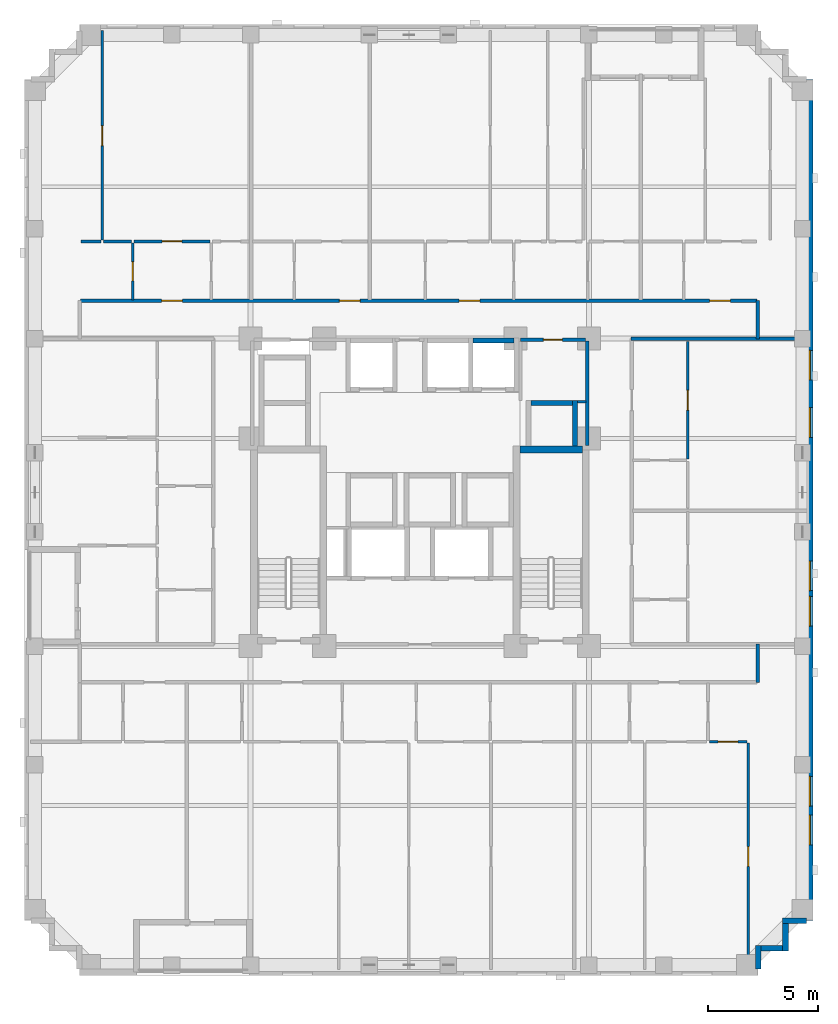
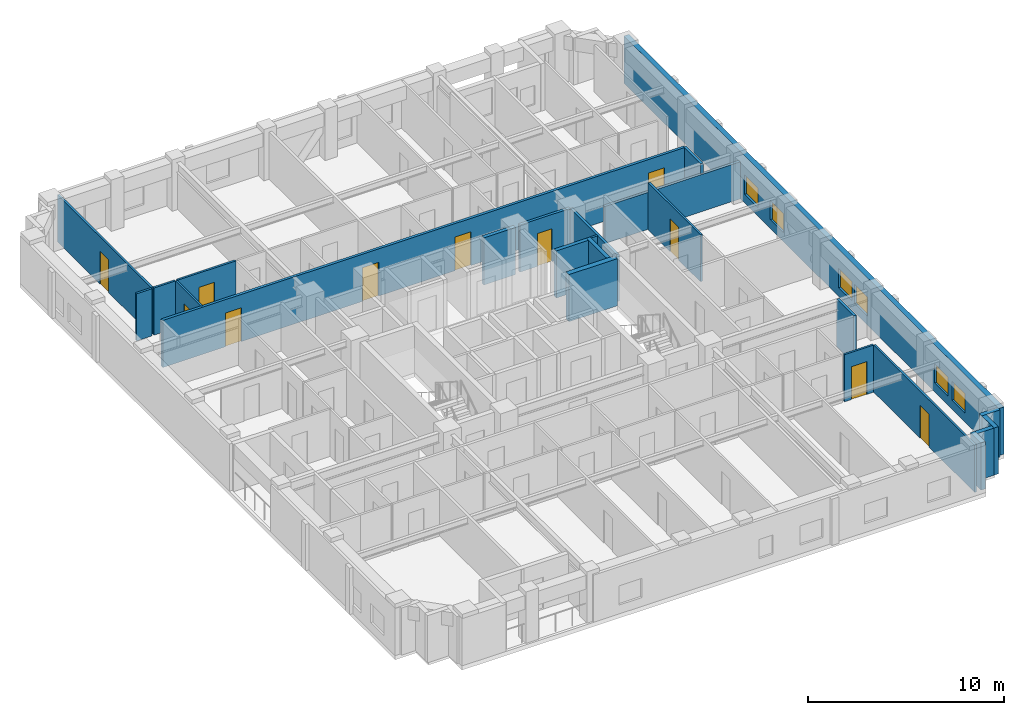
# One storey, part 6 of 12: 24 walls, 11 doors, 6 windows, 17 openings.
"""IFC4 building model written with IfcOpenShell, lengths in metres."""

from ifc_helpers import new_model, si_unit, derived_unit, direction, frame, frame_2d, origin, place, context, subcontext, project, spatial, rectangle, extrude, material, layer, layer_set, type_object, element, fill, save


model = new_model("IFC4")

# Units and contexts
model_context = context("Model", 3, precision=1e-05, world=origin(), true_north=direction((0.0, 1.0)))
body_context = subcontext(model_context, "Body", "Model", "MODEL_VIEW")
ifc_project = project(units=[si_unit("LENGTHUNIT", "METRE"), si_unit("AREAUNIT", "SQUARE_METRE"), si_unit("VOLUMEUNIT", "CUBIC_METRE"), si_unit("PLANEANGLEUNIT", "RADIAN"), si_unit("MASSUNIT", "GRAM", prefix="KILO"), derived_unit("THERMALTRANSMITTANCEUNIT", [(si_unit("MASSUNIT", "GRAM", prefix="KILO"), 1), (si_unit("TIMEUNIT", "SECOND"), -3), (si_unit("THERMODYNAMICTEMPERATUREUNIT", "KELVIN"), -1)])], contexts=[model_context])

# Site, building, storey
site_placement = place(None, origin())
site = spatial("IfcSite", under=ifc_project, at=site_placement, CompositionType="ELEMENT")
building_placement = place(site_placement, origin())
building = spatial("IfcBuilding", under=site, at=building_placement, Name="Korrvale Station Residences", CompositionType="ELEMENT")
storey_placement = place(building_placement, frame((0.0, 0.0, 103.89990234375)))
storey = spatial("IfcBuildingStorey", under=building, at=storey_placement, Name="L29", CompositionType="ELEMENT", Elevation=103.89990234375)

# Walls
ifc_material_1 = material(Name="Concrete C60/75", Category="concrete")
ifc_layer_1 = layer(ifc_material_1, 0.300048828125, Name="Concrete C60/75")
ifc_layer_set_1 = layer_set([ifc_layer_1], Name="Concrete C60/75")
wall_type_1 = type_object("IfcWallType", Name="WAL-CORE-300-C60", PredefinedType="SHEAR", material=ifc_layer_set_1)
wall_1_placement = place(storey_placement, frame((30.050048828125, 23.949951171875, 0.0), z_axis=(0.0, 0.0, 1.0), x_axis=(1.0, 0.0, 0.0)))
element("IfcWall", 1, at=wall_1_placement, inside=storey, type_object=wall_type_1, Name="L29 ST-2 Core Shear Wall North", PredefinedType="SHEAR", context=body_context, shape_type="SweptSolid", body=[
    extrude(rectangle(XDim=2.849853515625, YDim=0.300048828125, at=frame_2d((1.4248046875, 0.0))), origin(), (0.0, 0.0, 1.0), 2.940185546875),
])
ifc_material_2 = material(Name="Precast concrete C45/55", Category="concrete")
ifc_layer_2 = layer(ifc_material_2, 0.260009765625, Name="Precast concrete C45/55")
ifc_layer_set_2 = layer_set([ifc_layer_2], Name="Precast concrete C45/55")
wall_type_2 = type_object("IfcWallType", Name="WAL-EXT-LOG260", PredefinedType="SOLIDWALL", material=ifc_layer_set_2)
wall_2_placement = place(storey_placement, frame((43.097900390625, 2.5, 0.0), z_axis=(0.0, 0.0, 1.0), x_axis=(-1.0, 0.0, 0.0)))
element("IfcWall", 2, at=wall_2_placement, inside=storey, type_object=wall_type_2, Name="L29 Serrated Corner Precast Step SE-1", PredefinedType="SOLIDWALL", context=body_context, shape_type="SweptSolid", body=[
    extrude(rectangle(XDim=1.077880859375, YDim=0.260009765625, at=frame_2d((0.5390625, 0.0))), origin(), (0.0, 0.0, 1.0), 2.940185546875),
])
wall_3_placement = place(storey_placement, frame((42.14990234375, 2.367919921875, 0.0), z_axis=(0.0, 0.0, 1.0), x_axis=(0.0, -1.0, 0.0)))
element("IfcWall", 3, at=wall_3_placement, inside=storey, type_object=wall_type_2, Name="L29 Serrated Corner Precast Step SE-2", PredefinedType="SOLIDWALL", context=body_context, shape_type="SweptSolid", body=[
    extrude(rectangle(XDim=1.247802734375, YDim=0.260009765625, at=frame_2d((0.6240234375, 0.0))), origin(), (0.0, 0.0, 1.0), 2.940185546875),
])
wall_4_placement = place(storey_placement, frame((42.01806640625, 1.25, 0.0), z_axis=(0.0, 0.0, 1.0), x_axis=(-1.0, 0.0, 0.0)))
element("IfcWall", 4, at=wall_4_placement, inside=storey, type_object=wall_type_2, Name="L29 Serrated Corner Precast Step SE-3", PredefinedType="SOLIDWALL", context=body_context, shape_type="SweptSolid", body=[
    extrude(rectangle(XDim=0.986083984375, YDim=0.260009765625, at=frame_2d((0.4931640625, 0.0))), origin(), (0.0, 0.0, 1.0), 2.940185546875),
])
wall_5_placement = place(storey_placement, frame((40.89990234375, 1.3798828125, 0.0), z_axis=(0.0, 0.0, 1.0), x_axis=(0.0, -1.0, 0.0)))
element("IfcWall", 5, at=wall_5_placement, inside=storey, type_object=wall_type_2, Name="L29 Serrated Corner Precast Step SE-4", PredefinedType="SOLIDWALL", context=body_context, shape_type="SweptSolid", body=[
    extrude(rectangle(XDim=1.077880859375, YDim=0.260009765625, at=frame_2d((0.5390625, 0.0))), origin(), (0.0, 0.0, 1.0), 2.940185546875),
])

# Wall, openings, windows
ifc_layer_3 = layer(ifc_material_2, 0.300048828125, Name="Precast concrete C45/55")
ifc_layer_set_3 = layer_set([ifc_layer_3], Name="Precast concrete C45/55")
wall_type_3 = type_object("IfcWallType", Name="WAL-EXT-PC300", PredefinedType="SOLIDWALL", material=ifc_layer_set_3)
wall_6_placement = place(storey_placement, frame((43.25, 40.800048828125, 0.0), z_axis=(0.0, 0.0, 1.0), x_axis=(0.0, -1.0, 0.0)))
wall_6 = element("IfcWall", 6, at=wall_6_placement, inside=storey, type_object=wall_type_3, Name="L29 East Exterior Precast Wall 1", PredefinedType="SOLIDWALL", context=body_context, shape_type="SweptSolid", body=[
    extrude(rectangle(XDim=38.300048828125, YDim=0.300048828125, at=frame_2d((19.14990234375, 0.0))), origin(), (0.0, 0.0, 1.0), 2.940185546875),
])
opening_1_placement = place(wall_6_placement, frame((33.4951171875, 0.0, 0.550048828125)))
opening_1 = element("IfcOpeningElement", 7, at=opening_1_placement, cuts=wall_6, Name="Opening W-10", PredefinedType="OPENING", context=body_context, shape_type="SweptSolid", body=[
    extrude(rectangle(XDim=1.35009765625, YDim=1.199951171875, at=frame_2d((0.675048828125, 0.60009765625))), frame((0.0, 0.16015625, 0.0), z_axis=(0.0, -1.0, 0.0), x_axis=(1.0, 0.0, 0.0)), (0.0, 0.0, 1.0), 0.320068359375),
])
opening_2_placement = place(wall_6_placement, frame((31.735107421875, 0.0, 0.550048828125)))
opening_2 = element("IfcOpeningElement", 8, at=opening_2_placement, cuts=wall_6, Name="Opening W-10", PredefinedType="OPENING", context=body_context, shape_type="SweptSolid", body=[
    extrude(rectangle(XDim=1.35009765625, YDim=1.199951171875, at=frame_2d((0.675048828125, 0.60009765625))), frame((0.0, 0.16015625, 0.0), z_axis=(0.0, -1.0, 0.0), x_axis=(1.0, 0.0, 0.0)), (0.0, 0.0, 1.0), 0.320068359375),
])
opening_3_placement = place(wall_6_placement, frame((21.929931640625, 0.0, 0.550048828125)))
opening_3 = element("IfcOpeningElement", 9, at=opening_3_placement, cuts=wall_6, Name="Opening W-10", PredefinedType="OPENING", context=body_context, shape_type="SweptSolid", body=[
    extrude(rectangle(XDim=1.35009765625, YDim=1.199951171875, at=frame_2d((0.675048828125, 0.60009765625))), frame((0.0, 0.16015625, 0.0), z_axis=(0.0, -1.0, 0.0), x_axis=(1.0, 0.0, 0.0)), (0.0, 0.0, 1.0), 0.320068359375),
])
opening_4_placement = place(wall_6_placement, frame((23.5400390625, 0.0, 0.550048828125)))
opening_4 = element("IfcOpeningElement", 10, at=opening_4_placement, cuts=wall_6, Name="Opening W-10", PredefinedType="OPENING", context=body_context, shape_type="SweptSolid", body=[
    extrude(rectangle(XDim=1.35009765625, YDim=1.199951171875, at=frame_2d((0.675048828125, 0.60009765625))), frame((0.0, 0.16015625, 0.0), z_axis=(0.0, -1.0, 0.0), x_axis=(1.0, 0.0, 0.0)), (0.0, 0.0, 1.0), 0.320068359375),
])
opening_5_placement = place(wall_6_placement, frame((14.949951171875, 0.0, 0.550048828125)))
opening_5 = element("IfcOpeningElement", 11, at=opening_5_placement, cuts=wall_6, Name="Opening W-10", PredefinedType="OPENING", context=body_context, shape_type="SweptSolid", body=[
    extrude(rectangle(XDim=1.35009765625, YDim=1.199951171875, at=frame_2d((0.675048828125, 0.60009765625))), frame((0.0, 0.16015625, 0.0), z_axis=(0.0, -1.0, 0.0), x_axis=(1.0, 0.0, 0.0)), (0.0, 0.0, 1.0), 0.320068359375),
])
opening_6_placement = place(wall_6_placement, frame((12.3349609375, 0.0, 0.550048828125)))
opening_6 = element("IfcOpeningElement", 12, at=opening_6_placement, cuts=wall_6, Name="Opening W-10", PredefinedType="OPENING", context=body_context, shape_type="SweptSolid", body=[
    extrude(rectangle(XDim=1.35009765625, YDim=1.199951171875, at=frame_2d((0.675048828125, 0.60009765625))), frame((0.0, 0.16015625, 0.0), z_axis=(0.0, -1.0, 0.0), x_axis=(1.0, 0.0, 0.0)), (0.0, 0.0, 1.0), 0.320068359375),
])
ifc_material_3 = material(Name="Thermally broken aluminium frame with triple low-e glazing", Category="aluminium")
window_type = type_object("IfcWindowType", Name="WIN-W10", PartitioningType="SINGLE_PANEL", PredefinedType="WINDOW", material=ifc_material_3)
window_1_placement = place(opening_1_placement, origin())
window_1 = element("IfcWindow", 13, at=window_1_placement, inside=storey, type_object=window_type, Name="L29 Punched Window 08", OverallHeight=1.199951171875, OverallWidth=1.35009765625, PartitioningType="SINGLE_PANEL", PredefinedType="WINDOW", context=body_context, shape_type="SweptSolid", body=[
    extrude(rectangle(XDim=1.35009765625, YDim=1.199951171875, at=frame_2d((0.675048828125, 0.60009765625))), frame((0.0, 0.030029296875, 0.0), z_axis=(0.0, -1.0, 0.0), x_axis=(1.0, 0.0, 0.0)), (0.0, 0.0, 1.0), 0.06005859375),
])
fill(opening_1, window_1)
window_2_placement = place(opening_2_placement, origin())
window_2 = element("IfcWindow", 14, at=window_2_placement, inside=storey, type_object=window_type, Name="L29 Punched Window 09", OverallHeight=1.199951171875, OverallWidth=1.35009765625, PartitioningType="SINGLE_PANEL", PredefinedType="WINDOW", context=body_context, shape_type="SweptSolid", body=[
    extrude(rectangle(XDim=1.35009765625, YDim=1.199951171875, at=frame_2d((0.675048828125, 0.60009765625))), frame((0.0, 0.030029296875, 0.0), z_axis=(0.0, -1.0, 0.0), x_axis=(1.0, 0.0, 0.0)), (0.0, 0.0, 1.0), 0.06005859375),
])
fill(opening_2, window_2)
window_3_placement = place(opening_3_placement, origin())
window_3 = element("IfcWindow", 15, at=window_3_placement, inside=storey, type_object=window_type, Name="L29 Punched Window 21", OverallHeight=1.199951171875, OverallWidth=1.35009765625, PartitioningType="SINGLE_PANEL", PredefinedType="WINDOW", context=body_context, shape_type="SweptSolid", body=[
    extrude(rectangle(XDim=1.35009765625, YDim=1.199951171875, at=frame_2d((0.675048828125, 0.60009765625))), frame((0.0, 0.030029296875, 0.0), z_axis=(0.0, -1.0, 0.0), x_axis=(1.0, 0.0, 0.0)), (0.0, 0.0, 1.0), 0.06005859375),
])
fill(opening_3, window_3)
window_4_placement = place(opening_4_placement, origin())
window_4 = element("IfcWindow", 16, at=window_4_placement, inside=storey, type_object=window_type, Name="L29 Punched Window 22", OverallHeight=1.199951171875, OverallWidth=1.35009765625, PartitioningType="SINGLE_PANEL", PredefinedType="WINDOW", context=body_context, shape_type="SweptSolid", body=[
    extrude(rectangle(XDim=1.35009765625, YDim=1.199951171875, at=frame_2d((0.675048828125, 0.60009765625))), frame((0.0, 0.030029296875, 0.0), z_axis=(0.0, -1.0, 0.0), x_axis=(1.0, 0.0, 0.0)), (0.0, 0.0, 1.0), 0.06005859375),
])
fill(opening_4, window_4)
window_5_placement = place(opening_5_placement, origin())
window_5 = element("IfcWindow", 17, at=window_5_placement, inside=storey, type_object=window_type, Name="L29 Punched Window 23", OverallHeight=1.199951171875, OverallWidth=1.35009765625, PartitioningType="SINGLE_PANEL", PredefinedType="WINDOW", context=body_context, shape_type="SweptSolid", body=[
    extrude(rectangle(XDim=1.35009765625, YDim=1.199951171875, at=frame_2d((0.675048828125, 0.60009765625))), frame((0.0, 0.030029296875, 0.0), z_axis=(0.0, -1.0, 0.0), x_axis=(1.0, 0.0, 0.0)), (0.0, 0.0, 1.0), 0.06005859375),
])
fill(opening_5, window_5)
window_6_placement = place(opening_6_placement, origin())
window_6 = element("IfcWindow", 18, at=window_6_placement, inside=storey, type_object=window_type, Name="L29 Punched Window 24", OverallHeight=1.199951171875, OverallWidth=1.35009765625, PartitioningType="SINGLE_PANEL", PredefinedType="WINDOW", context=body_context, shape_type="SweptSolid", body=[
    extrude(rectangle(XDim=1.35009765625, YDim=1.199951171875, at=frame_2d((0.675048828125, 0.60009765625))), frame((0.0, 0.030029296875, 0.0), z_axis=(0.0, -1.0, 0.0), x_axis=(1.0, 0.0, 0.0)), (0.0, 0.0, 1.0), 0.06005859375),
])
fill(opening_6, window_6)

# Wall
ifc_material_4 = material(Name="Acoustic steel-stud gypsum board partition", Category="steel")
ifc_layer_4 = layer(ifc_material_4, 0.1201171875, Name="Acoustic steel-stud gypsum board partition")
ifc_layer_set_4 = layer_set([ifc_layer_4], Name="Acoustic steel-stud gypsum board partition")
wall_type_4 = type_object("IfcWallType", Name="WAL-PART-125", PredefinedType="PARTITIONING", material=ifc_layer_set_4)
wall_7_placement = place(storey_placement, frame((32.679931640625, 26.1201171875, 0.0), z_axis=(0.0, 0.0, 1.0), x_axis=(1.0, 0.0, 0.0)))
element("IfcWall", 19, at=wall_7_placement, inside=storey, type_object=wall_type_4, Name="L29 Core Partition CW-CS-S", PredefinedType="PARTITIONING", context=body_context, shape_type="SweptSolid", body=[
    extrude(rectangle(XDim=0.380126953125, YDim=0.1201171875, at=frame_2d((0.18994140625, 0.0))), origin(), (0.0, 0.0, 1.0), 2.940185546875),
])

# Wall, opening, door
wall_8_placement = place(storey_placement, frame((38.676025390625, 10.64990234375, 0.0), z_axis=(0.0, 0.0, 1.0), x_axis=(1.0, 0.0, 0.0)))
wall_8 = element("IfcWall", 20, at=wall_8_placement, inside=storey, type_object=wall_type_4, Name="L29 Suite Partition U03-H24", PredefinedType="PARTITIONING", context=body_context, shape_type="SweptSolid", body=[
    extrude(rectangle(XDim=1.7138671875, YDim=0.1201171875, at=frame_2d((0.85693359375, 0.0))), origin(), (0.0, 0.0, 1.0), 2.940185546875),
])
opening_7_placement = place(wall_8_placement, frame((0.406982421875, 0.0, 0.0)))
opening_7 = element("IfcOpeningElement", 21, at=opening_7_placement, cuts=wall_8, Name="Opening DI-900", PredefinedType="OPENING", context=body_context, shape_type="SweptSolid", body=[
    extrude(rectangle(XDim=0.89990234375, YDim=2.050048828125, at=frame_2d((0.449951171875, 1.02490234375))), frame((0.0, 0.070068359375, 0.0), z_axis=(0.0, -1.0, 0.0), x_axis=(1.0, 0.0, 0.0)), (0.0, 0.0, 1.0), 0.14013671875),
])
ifc_material_5 = material(Name="Painted solid-core timber interior room door", Category="wood")
door_type_1 = type_object("IfcDoorType", Name="DR-INT-900", OperationType="NOTDEFINED", PredefinedType="DOOR", material=ifc_material_5)
door_1_placement = place(opening_7_placement, origin())
door_1 = element("IfcDoor", 22, at=door_1_placement, inside=storey, type_object=door_type_1, Name="L29 Studio Apartment L29-U03 Utility and Laundry Room Door", OperationType="SINGLE_SWING_LEFT", OverallHeight=2.050048828125, OverallWidth=0.89990234375, PredefinedType="DOOR", context=body_context, shape_type="SweptSolid", body=[
    extrude(rectangle(XDim=0.89990234375, YDim=2.050048828125, at=frame_2d((0.449951171875, 1.02490234375))), frame((0.0, 0.02490234375, 0.0), z_axis=(0.0, -1.0, 0.0), x_axis=(1.0, 0.0, 0.0)), (0.0, 0.0, 1.0), 0.050048828125),
])
fill(opening_7, door_1)

wall_9_placement = place(storey_placement, frame((40.449951171875, 0.280029296875, 0.0), z_axis=(0.0, 0.0, 1.0), x_axis=(0.0, 1.0, 0.0)))
wall_9 = element("IfcWall", 23, at=wall_9_placement, inside=storey, type_object=wall_type_4, Name="L29 Suite Partition U03-V45", PredefinedType="PARTITIONING", context=body_context, shape_type="SweptSolid", body=[
    extrude(rectangle(XDim=10.31005859375, YDim=0.1201171875, at=frame_2d((5.155029296875, 0.0))), origin(), (0.0, 0.0, 1.0), 2.940185546875),
])
opening_8_placement = place(wall_9_placement, frame((4.68994140625, 0.0, 0.0)))
opening_8 = element("IfcOpeningElement", 24, at=opening_8_placement, cuts=wall_9, Name="Opening DI-900", PredefinedType="OPENING", context=body_context, shape_type="SweptSolid", body=[
    extrude(rectangle(XDim=0.89990234375, YDim=2.050048828125, at=frame_2d((0.449951171875, 1.02490234375))), frame((0.0, 0.070068359375, 0.0), z_axis=(0.0, -1.0, 0.0), x_axis=(1.0, 0.0, 0.0)), (0.0, 0.0, 1.0), 0.14013671875),
])
door_2_placement = place(opening_8_placement, origin())
door_2 = element("IfcDoor", 25, at=door_2_placement, inside=storey, type_object=door_type_1, Name="L29 Studio Apartment L29-U03 Studio Living Room Door", OperationType="SINGLE_SWING_LEFT", OverallHeight=2.050048828125, OverallWidth=0.89990234375, PredefinedType="DOOR", context=body_context, shape_type="SweptSolid", body=[
    extrude(rectangle(XDim=0.89990234375, YDim=2.050048828125, at=frame_2d((0.449951171875, 1.02490234375))), frame((0.0, 0.02490234375, 0.0), z_axis=(0.0, -1.0, 0.0), x_axis=(1.0, 0.0, 0.0)), (0.0, 0.0, 1.0), 0.050048828125),
])
fill(opening_8, door_2)

wall_10_placement = place(storey_placement, frame((12.431884765625, 30.760009765625, 0.0), z_axis=(0.0, 0.0, 1.0), x_axis=(0.0, 1.0, 0.0)))
wall_10 = element("IfcWall", 26, at=wall_10_placement, inside=storey, type_object=wall_type_4, Name="L29 Suite Partition U04-V01", PredefinedType="PARTITIONING", context=body_context, shape_type="SweptSolid", body=[
    extrude(rectangle(XDim=2.60009765625, YDim=0.1201171875, at=frame_2d((1.300048828125, 0.0))), origin(), (0.0, 0.0, 1.0), 2.940185546875),
])
opening_9_placement = place(wall_10_placement, frame((0.8701171875, 0.0, 0.0)))
opening_9 = element("IfcOpeningElement", 27, at=opening_9_placement, cuts=wall_10, Name="Opening DB-860", PredefinedType="OPENING", context=body_context, shape_type="SweptSolid", body=[
    extrude(rectangle(XDim=0.860107421875, YDim=2.050048828125, at=frame_2d((0.43017578125, 1.02490234375))), frame((0.0, 0.070068359375, 0.0), z_axis=(0.0, -1.0, 0.0), x_axis=(1.0, 0.0, 0.0)), (0.0, 0.0, 1.0), 0.14013671875),
])
ifc_material_6 = material(Name="Moisture-resistant solid-core bathroom door", Category="timber")
door_type_2 = type_object("IfcDoorType", Name="DR-BATH-860", OperationType="NOTDEFINED", PredefinedType="DOOR", material=ifc_material_6)
door_3_placement = place(opening_9_placement, origin())
door_3 = element("IfcDoor", 28, at=door_3_placement, inside=storey, type_object=door_type_2, Name="L29 Studio Apartment L29-U04 Bathroom Door", OperationType="SINGLE_SWING_RIGHT", OverallHeight=2.050048828125, OverallWidth=0.860107421875, PredefinedType="DOOR", context=body_context, shape_type="SweptSolid", body=[
    extrude(rectangle(XDim=0.860107421875, YDim=2.050048828125, at=frame_2d((0.43017578125, 1.02490234375))), frame((0.0, 0.02490234375, 0.0), z_axis=(0.0, -1.0, 0.0), x_axis=(1.0, 0.0, 0.0)), (0.0, 0.0, 1.0), 0.050048828125),
])
fill(opening_9, door_3)

# Walls
wall_11_placement = place(storey_placement, frame((10.080078125, 33.419921875, 0.0), z_axis=(0.0, 0.0, 1.0), x_axis=(1.0, 0.0, 0.0)))
element("IfcWall", 29, at=wall_11_placement, inside=storey, type_object=wall_type_4, Name="L29 Suite Partition U04-H03", PredefinedType="PARTITIONING", context=body_context, shape_type="SweptSolid", body=[
    extrude(rectangle(XDim=0.909912109375, YDim=0.1201171875, at=frame_2d((0.455078125, 0.0))), origin(), (0.0, 0.0, 1.0), 2.940185546875),
])
wall_12_placement = place(storey_placement, frame((11.110107421875, 33.419921875, 0.0), z_axis=(0.0, 0.0, 1.0), x_axis=(1.0, 0.0, 0.0)))
element("IfcWall", 30, at=wall_12_placement, inside=storey, type_object=wall_type_4, Name="L29 Suite Partition U04-H04", PredefinedType="PARTITIONING", context=body_context, shape_type="SweptSolid", body=[
    extrude(rectangle(XDim=1.261962890625, YDim=0.1201171875, at=frame_2d((0.630859375, 0.0))), origin(), (0.0, 0.0, 1.0), 2.940185546875),
])

# Wall, opening, door
wall_13_placement = place(storey_placement, frame((12.491943359375, 33.419921875, 0.0), z_axis=(0.0, 0.0, 1.0), x_axis=(1.0, 0.0, 0.0)))
wall_13 = element("IfcWall", 31, at=wall_13_placement, inside=storey, type_object=wall_type_4, Name="L29 Suite Partition U04-H14", PredefinedType="PARTITIONING", context=body_context, shape_type="SweptSolid", body=[
    extrude(rectangle(XDim=3.449951171875, YDim=0.1201171875, at=frame_2d((1.72509765625, 0.0))), origin(), (0.0, 0.0, 1.0), 2.940185546875),
])
opening_10_placement = place(wall_13_placement, frame((1.27490234375, 0.0, 0.0)))
opening_10 = element("IfcOpeningElement", 32, at=opening_10_placement, cuts=wall_13, Name="Opening DI-900", PredefinedType="OPENING", context=body_context, shape_type="SweptSolid", body=[
    extrude(rectangle(XDim=0.89990234375, YDim=2.050048828125, at=frame_2d((0.449951171875, 1.02490234375))), frame((0.0, 0.070068359375, 0.0), z_axis=(0.0, -1.0, 0.0), x_axis=(1.0, 0.0, 0.0)), (0.0, 0.0, 1.0), 0.14013671875),
])
door_4_placement = place(opening_10_placement, origin())
door_4 = element("IfcDoor", 33, at=door_4_placement, inside=storey, type_object=door_type_1, Name="L29 Studio Apartment L29-U04 Kitchen Door", OperationType="SINGLE_SWING_RIGHT", OverallHeight=2.050048828125, OverallWidth=0.89990234375, PredefinedType="DOOR", context=body_context, shape_type="SweptSolid", body=[
    extrude(rectangle(XDim=0.89990234375, YDim=2.050048828125, at=frame_2d((0.449951171875, 1.02490234375))), frame((0.0, 0.02490234375, 0.0), z_axis=(0.0, -1.0, 0.0), x_axis=(1.0, 0.0, 0.0)), (0.0, 0.0, 1.0), 0.050048828125),
])
fill(opening_10, door_4)

wall_14_placement = place(storey_placement, frame((11.050048828125, 33.47998046875, 0.0), z_axis=(0.0, 0.0, 1.0), x_axis=(0.0, 1.0, 0.0)))
wall_14 = element("IfcWall", 34, at=wall_14_placement, inside=storey, type_object=wall_type_4, Name="L29 Suite Partition U04-V34", PredefinedType="PARTITIONING", context=body_context, shape_type="SweptSolid", body=[
    extrude(rectangle(XDim=9.5400390625, YDim=0.1201171875, at=frame_2d((4.77001953125, 0.0))), origin(), (0.0, 0.0, 1.0), 2.940185546875),
])
opening_11_placement = place(wall_14_placement, frame((4.304931640625, 0.0, 0.0)))
opening_11 = element("IfcOpeningElement", 35, at=opening_11_placement, cuts=wall_14, Name="Opening DI-900", PredefinedType="OPENING", context=body_context, shape_type="SweptSolid", body=[
    extrude(rectangle(XDim=0.89990234375, YDim=2.050048828125, at=frame_2d((0.449951171875, 1.02490234375))), frame((0.0, 0.070068359375, 0.0), z_axis=(0.0, -1.0, 0.0), x_axis=(1.0, 0.0, 0.0)), (0.0, 0.0, 1.0), 0.14013671875),
])
door_5_placement = place(opening_11_placement, origin())
door_5 = element("IfcDoor", 36, at=door_5_placement, inside=storey, type_object=door_type_1, Name="L29 Studio Apartment L29-U04 Walk-In Wardrobe Door", OperationType="SINGLE_SWING_RIGHT", OverallHeight=2.050048828125, OverallWidth=0.89990234375, PredefinedType="DOOR", context=body_context, shape_type="SweptSolid", body=[
    extrude(rectangle(XDim=0.89990234375, YDim=2.050048828125, at=frame_2d((0.449951171875, 1.02490234375))), frame((0.0, 0.02490234375, 0.0), z_axis=(0.0, -1.0, 0.0), x_axis=(1.0, 0.0, 0.0)), (0.0, 0.0, 1.0), 0.050048828125),
])
fill(opening_11, door_5)

wall_15_placement = place(storey_placement, frame((37.699951171875, 23.527099609375, 0.0), z_axis=(0.0, 0.0, 1.0), x_axis=(0.0, 1.0, 0.0)))
wall_15 = element("IfcWall", 37, at=wall_15_placement, inside=storey, type_object=wall_type_4, Name="L29 Suite Partition U10-V12", PredefinedType="PARTITIONING", context=body_context, shape_type="SweptSolid", body=[
    extrude(rectangle(XDim=5.3330078125, YDim=0.1201171875, at=frame_2d((2.66650390625, 0.0))), origin(), (0.0, 0.0, 1.0), 2.940185546875),
])
opening_12_placement = place(wall_15_placement, frame((2.216064453125, 0.0, 0.0)))
opening_12 = element("IfcOpeningElement", 38, at=opening_12_placement, cuts=wall_15, Name="Opening DI-900", PredefinedType="OPENING", context=body_context, shape_type="SweptSolid", body=[
    extrude(rectangle(XDim=0.89990234375, YDim=2.050048828125, at=frame_2d((0.449951171875, 1.02490234375))), frame((0.0, 0.070068359375, 0.0), z_axis=(0.0, -1.0, 0.0), x_axis=(1.0, 0.0, 0.0)), (0.0, 0.0, 1.0), 0.14013671875),
])
door_6_placement = place(opening_12_placement, origin())
door_6 = element("IfcDoor", 39, at=door_6_placement, inside=storey, type_object=door_type_1, Name="L29 Apartment 1BR L29-U10 Kitchen Door", OperationType="SINGLE_SWING_RIGHT", OverallHeight=2.050048828125, OverallWidth=0.89990234375, PredefinedType="DOOR", context=body_context, shape_type="SweptSolid", body=[
    extrude(rectangle(XDim=0.89990234375, YDim=2.050048828125, at=frame_2d((0.449951171875, 1.02490234375))), frame((0.0, 0.02490234375, 0.0), z_axis=(0.0, -1.0, 0.0), x_axis=(1.0, 0.0, 0.0)), (0.0, 0.0, 1.0), 0.050048828125),
])
fill(opening_12, door_6)

# Wall
ifc_material_7 = material(Name="Fire-rated twin-stud gypsum and mineral wool shaftwall assembly", Category="gypsum")
ifc_layer_5 = layer(ifc_material_7, 0.159912109375, Name="Fire-rated twin-stud gypsum and mineral wool shaftwall assembly")
ifc_layer_set_5 = layer_set([ifc_layer_5], Name="Fire-rated twin-stud gypsum and mineral wool shaftwall assembly")
wall_type_5 = type_object("IfcWallType", Name="WAL-PART-200", PredefinedType="PARTITIONING", material=ifc_layer_set_5)
wall_16_placement = place(storey_placement, frame((33.1201171875, 24.1201171875, 0.0), z_axis=(0.0, 0.0, 1.0), x_axis=(0.0, 1.0, 0.0)))
element("IfcWall", 40, at=wall_16_placement, inside=storey, type_object=wall_type_5, Name="L29 Core Partition CW-E-N", PredefinedType="PARTITIONING", context=body_context, shape_type="SweptSolid", body=[
    extrude(rectangle(XDim=4.759765625, YDim=0.159912109375, at=frame_2d((2.3798828125, 0.0))), origin(), (0.0, 0.0, 1.0), 2.940185546875),
])

# Wall, opening, door
wall_17_placement = place(storey_placement, frame((30.080078125, 28.949951171875, 0.0), z_axis=(0.0, 0.0, 1.0), x_axis=(1.0, 0.0, 0.0)))
wall_17 = element("IfcWall", 41, at=wall_17_placement, inside=storey, type_object=wall_type_5, Name="L29 Core Partition CW-CS-N", PredefinedType="PARTITIONING", context=body_context, shape_type="SweptSolid", body=[
    extrude(rectangle(XDim=2.9599609375, YDim=0.159912109375, at=frame_2d((1.47998046875, 0.0))), origin(), (0.0, 0.0, 1.0), 2.940185546875),
])
opening_13_placement = place(wall_17_placement, frame((1.044921875, 0.0, 0.0)))
opening_13 = element("IfcOpeningElement", 42, at=opening_13_placement, cuts=wall_17, Name="Opening DB-860", PredefinedType="OPENING", context=body_context, shape_type="SweptSolid", body=[
    extrude(rectangle(XDim=0.860107421875, YDim=2.050048828125, at=frame_2d((0.43017578125, 1.02490234375))), frame((0.0, 0.08984375, 0.0), z_axis=(0.0, -1.0, 0.0), x_axis=(1.0, 0.0, 0.0)), (0.0, 0.0, 1.0), 0.179931640625),
])
door_7_placement = place(opening_13_placement, origin())
door_7 = element("IfcDoor", 43, at=door_7_placement, inside=storey, type_object=door_type_2, Name="L29 Parcel Room Door", OperationType="SINGLE_SWING_RIGHT", OverallHeight=2.050048828125, OverallWidth=0.860107421875, PredefinedType="DOOR", context=body_context, shape_type="SweptSolid", body=[
    extrude(rectangle(XDim=0.860107421875, YDim=2.050048828125, at=frame_2d((0.43017578125, 1.02490234375))), frame((0.0, 0.02490234375, 0.0), z_axis=(0.0, -1.0, 0.0), x_axis=(1.0, 0.0, 0.0)), (0.0, 0.0, 1.0), 0.050048828125),
])
fill(opening_13, door_7)

# Walls
for number, where, z_axis, x_axis, name in (
    (44, (40.8798828125, 13.35009765625, 0.0), (0.0, 0.0, 1.0), (0.0, 1.0, 0.0), "L29 Corridor South East Cap"),
    (45, (40.8798828125, 28.97998046875, 0.0), (0.0, 0.0, 1.0), (0.0, 1.0, 0.0), "L29 Corridor North East Cap"),
):
    element("IfcWall", number, at=place(storey_placement, frame(where, z_axis=z_axis, x_axis=x_axis)), inside=storey, type_object=wall_type_5, Name=name, PredefinedType="PARTITIONING", context=body_context, shape_type="SweptSolid", body=[
        extrude(rectangle(XDim=1.739990234375, YDim=0.159912109375, at=frame_2d((0.8701171875, 0.0))), origin(), (0.0, 0.0, 1.0), 2.940185546875),
    ])
wall_18_placement = place(storey_placement, frame((35.110107421875, 28.97998046875, 0.0), z_axis=(0.0, 0.0, 1.0), x_axis=(1.0, 0.0, 0.0)))
element("IfcWall", 46, at=wall_18_placement, inside=storey, type_object=wall_type_5, Name="L29 East Wing North Corridor Wall", PredefinedType="PARTITIONING", context=body_context, shape_type="SweptSolid", body=[
    extrude(rectangle(XDim=8.010009765625, YDim=0.159912109375, at=frame_2d((4.0048828125, 0.0))), origin(), (0.0, 0.0, 1.0), 2.31298828125),
])

# Wall, openings, doors
wall_19_placement = place(storey_placement, frame((10.050048828125, 30.719970703125, 0.0), z_axis=(0.0, 0.0, 1.0), x_axis=(1.0, 0.0, 0.0)))
wall_19 = element("IfcWall", 47, at=wall_19_placement, inside=storey, type_object=wall_type_5, Name="L29 Rated Corridor Wall N", PredefinedType="PARTITIONING", context=body_context, shape_type="SweptSolid", body=[
    extrude(rectangle(XDim=30.800048828125, YDim=0.159912109375, at=frame_2d((15.39990234375, 0.0))), origin(), (0.0, 0.0, 1.0), 2.940185546875),
])
opening_14_placement = place(wall_19_placement, frame((3.69189453125, 0.0, 0.0)))
opening_14 = element("IfcOpeningElement", 48, at=opening_14_placement, cuts=wall_19, Name="Opening UD-950", PredefinedType="OPENING", context=body_context, shape_type="SweptSolid", body=[
    extrude(rectangle(XDim=0.949951171875, YDim=2.10009765625, at=frame_2d((0.47509765625, 1.050048828125))), frame((0.0, 0.08984375, 0.0), z_axis=(0.0, -1.0, 0.0), x_axis=(1.0, 0.0, 0.0)), (0.0, 0.0, 1.0), 0.179931640625),
])
opening_15_placement = place(wall_19_placement, frame((11.784912109375, 0.0, 0.0)))
opening_15 = element("IfcOpeningElement", 49, at=opening_15_placement, cuts=wall_19, Name="Opening UD-950", PredefinedType="OPENING", context=body_context, shape_type="SweptSolid", body=[
    extrude(rectangle(XDim=0.949951171875, YDim=2.10009765625, at=frame_2d((0.47509765625, 1.050048828125))), frame((0.0, 0.08984375, 0.0), z_axis=(0.0, -1.0, 0.0), x_axis=(1.0, 0.0, 0.0)), (0.0, 0.0, 1.0), 0.179931640625),
])
opening_16_placement = place(wall_19_placement, frame((17.235107421875, 0.0, 0.0)))
opening_16 = element("IfcOpeningElement", 50, at=opening_16_placement, cuts=wall_19, Name="Opening UD-950", PredefinedType="OPENING", context=body_context, shape_type="SweptSolid", body=[
    extrude(rectangle(XDim=0.949951171875, YDim=2.10009765625, at=frame_2d((0.47509765625, 1.050048828125))), frame((0.0, 0.08984375, 0.0), z_axis=(0.0, -1.0, 0.0), x_axis=(1.0, 0.0, 0.0)), (0.0, 0.0, 1.0), 0.179931640625),
])
opening_17_placement = place(wall_19_placement, frame((28.639892578125, 0.0, 0.0)))
opening_17 = element("IfcOpeningElement", 51, at=opening_17_placement, cuts=wall_19, Name="Opening UD-950", PredefinedType="OPENING", context=body_context, shape_type="SweptSolid", body=[
    extrude(rectangle(XDim=0.949951171875, YDim=2.10009765625, at=frame_2d((0.47509765625, 1.050048828125))), frame((0.0, 0.08984375, 0.0), z_axis=(0.0, -1.0, 0.0), x_axis=(1.0, 0.0, 0.0)), (0.0, 0.0, 1.0), 0.179931640625),
])
ifc_material_8 = material(Name="Solid-core acoustic oak apartment entrance door", Category="timber")
door_type_3 = type_object("IfcDoorType", Name="DR-UNIT-950", OperationType="NOTDEFINED", PredefinedType="DOOR", material=ifc_material_8)
door_8_placement = place(opening_14_placement, origin())
door_8 = element("IfcDoor", 52, at=door_8_placement, inside=storey, type_object=door_type_3, Name="L29 Apartment L29-U04 Entrance Door", OperationType="SINGLE_SWING_RIGHT", OverallHeight=2.10009765625, OverallWidth=0.949951171875, PredefinedType="DOOR", context=body_context, shape_type="SweptSolid", body=[
    extrude(rectangle(XDim=0.949951171875, YDim=2.10009765625, at=frame_2d((0.47509765625, 1.050048828125))), frame((0.0, 0.02490234375, 0.0), z_axis=(0.0, -1.0, 0.0), x_axis=(1.0, 0.0, 0.0)), (0.0, 0.0, 1.0), 0.050048828125),
])
fill(opening_14, door_8)
door_9_placement = place(opening_15_placement, origin())
door_9 = element("IfcDoor", 53, at=door_9_placement, inside=storey, type_object=door_type_3, Name="L29 Apartment L29-U05 Entrance Door", OperationType="SINGLE_SWING_LEFT", OverallHeight=2.10009765625, OverallWidth=0.949951171875, PredefinedType="DOOR", context=body_context, shape_type="SweptSolid", body=[
    extrude(rectangle(XDim=0.949951171875, YDim=2.10009765625, at=frame_2d((0.47509765625, 1.050048828125))), frame((0.0, 0.02490234375, 0.0), z_axis=(0.0, -1.0, 0.0), x_axis=(1.0, 0.0, 0.0)), (0.0, 0.0, 1.0), 0.050048828125),
])
fill(opening_15, door_9)
door_10_placement = place(opening_16_placement, origin())
door_10 = element("IfcDoor", 54, at=door_10_placement, inside=storey, type_object=door_type_3, Name="L29 Apartment L29-U06 Entrance Door", OperationType="SINGLE_SWING_RIGHT", OverallHeight=2.10009765625, OverallWidth=0.949951171875, PredefinedType="DOOR", context=body_context, shape_type="SweptSolid", body=[
    extrude(rectangle(XDim=0.949951171875, YDim=2.10009765625, at=frame_2d((0.47509765625, 1.050048828125))), frame((0.0, 0.02490234375, 0.0), z_axis=(0.0, -1.0, 0.0), x_axis=(1.0, 0.0, 0.0)), (0.0, 0.0, 1.0), 0.050048828125),
])
fill(opening_16, door_10)
door_11_placement = place(opening_17_placement, origin())
door_11 = element("IfcDoor", 55, at=door_11_placement, inside=storey, type_object=door_type_3, Name="L29 Apartment L29-U07 Entrance Door", OperationType="SINGLE_SWING_LEFT", OverallHeight=2.10009765625, OverallWidth=0.949951171875, PredefinedType="DOOR", context=body_context, shape_type="SweptSolid", body=[
    extrude(rectangle(XDim=0.949951171875, YDim=2.10009765625, at=frame_2d((0.47509765625, 1.050048828125))), frame((0.0, 0.02490234375, 0.0), z_axis=(0.0, -1.0, 0.0), x_axis=(1.0, 0.0, 0.0)), (0.0, 0.0, 1.0), 0.050048828125),
])
fill(opening_17, door_11)

# Walls
ifc_layer_6 = layer(ifc_material_1, 0.219970703125, Name="Concrete C60/75")
ifc_layer_set_6 = layer_set([ifc_layer_6], Name="Concrete C60/75")
wall_type_6 = type_object("IfcWallType", Name="WAL-SHAFT-220-C60", PredefinedType="SHEAR", material=ifc_layer_set_6)
wall_20_placement = place(storey_placement, frame((27.929931640625, 28.909912109375, 0.0), z_axis=(0.0, 0.0, 1.0), x_axis=(1.0, 0.0, 0.0)))
element("IfcWall", 56, at=wall_20_placement, inside=storey, type_object=wall_type_6, Name="L29 Elevator PL-3 Hoistway Wall North", PredefinedType="SHEAR", context=body_context, shape_type="SweptSolid", body=[
    extrude(rectangle(XDim=1.860107421875, YDim=0.219970703125, at=frame_2d((0.93017578125, 0.0))), origin(), (0.0, 0.0, 1.0), 2.940185546875),
])
wall_21_placement = place(storey_placement, frame((30.550048828125, 26.06005859375, 0.0), z_axis=(0.0, 0.0, 1.0), x_axis=(1.0, 0.0, 0.0)))
element("IfcWall", 57, at=wall_21_placement, inside=storey, type_object=wall_type_6, Name="L29 Elevator PH-3 Hoistway Wall North", PredefinedType="SHEAR", context=body_context, shape_type="SweptSolid", body=[
    extrude(rectangle(XDim=1.89990234375, YDim=0.219970703125, at=frame_2d((0.949951171875, 0.0))), origin(), (0.0, 0.0, 1.0), 2.940185546875),
])
wall_22_placement = place(storey_placement, frame((32.56005859375, 24.10009765625, 0.0), z_axis=(0.0, 0.0, 1.0), x_axis=(0.0, 1.0, 0.0)))
element("IfcWall", 58, at=wall_22_placement, inside=storey, type_object=wall_type_6, Name="L29 Elevator PH-3 Hoistway Wall East", PredefinedType="SHEAR", context=body_context, shape_type="SweptSolid", body=[
    extrude(rectangle(XDim=2.06982421875, YDim=0.219970703125, at=frame_2d((1.034912109375, 0.0))), origin(), (0.0, 0.0, 1.0), 2.940185546875),
])

save(model, "model.ifc")
